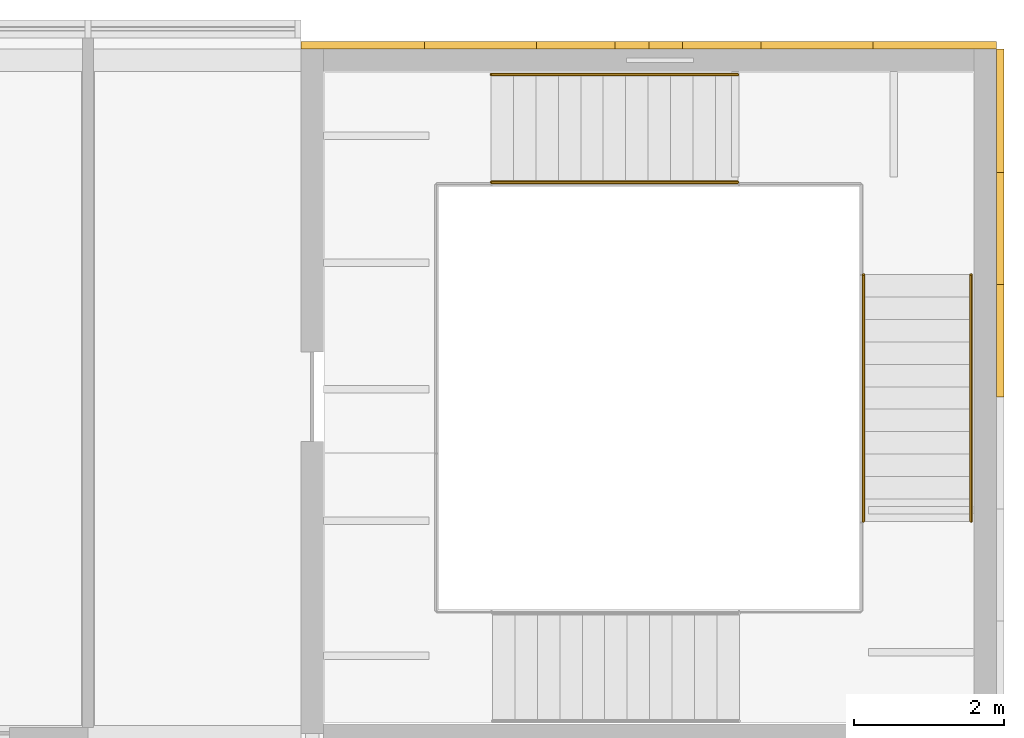
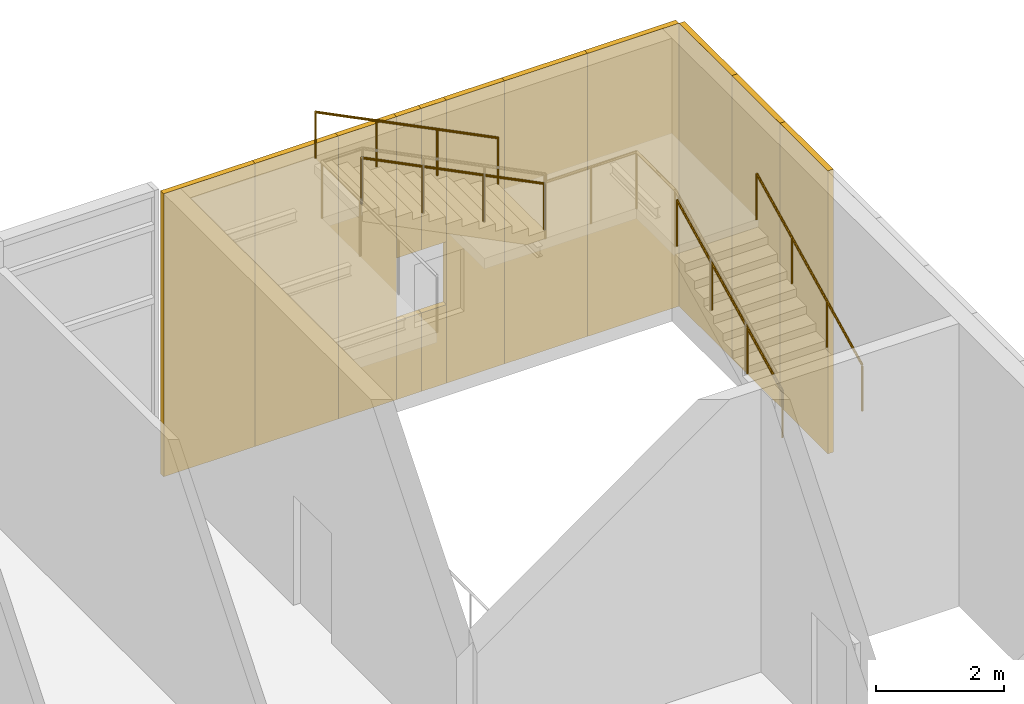
# One storey, part 56 of 56: 13 coverings, 4 railings.
"""IFC4 building model written with IfcOpenShell, lengths in metres."""

from ifc_helpers import new_model, si_unit, direction, frame, origin, origin_2d, place, context, subcontext, project, spatial, rectangle, circle, extrude, material, layer, layer_set, type_object, element, save


model = new_model("IFC4")

# Units and contexts
model_context = context("Model", 3, precision=1e-05, world=origin(), true_north=direction((0.0, 1.0)))
body_context = subcontext(model_context, "Body", "Model", "MODEL_VIEW")
ifc_project = project(units=[si_unit("LENGTHUNIT", "METRE"), si_unit("AREAUNIT", "SQUARE_METRE"), si_unit("VOLUMEUNIT", "CUBIC_METRE"), si_unit("PLANEANGLEUNIT", "RADIAN"), si_unit("MASSUNIT", "GRAM", prefix="KILO")], contexts=[model_context])

# Site, building, storey
site_placement = place(None, origin())
site = spatial("IfcSite", under=ifc_project, at=site_placement, CompositionType="ELEMENT")
building_placement = place(site_placement, origin())
building = spatial("IfcBuilding", under=site, at=building_placement, Name="Azimuth Sports and Learning Centre", CompositionType="ELEMENT")
storey_placement = place(building_placement, frame((0.0, 0.0, 5.39990234375)))
storey = spatial("IfcBuildingStorey", under=building, at=storey_placement, Name="L01", CompositionType="ELEMENT", Elevation=5.39990234375)

# Coverings
ifc_material_1 = material(Name="Cladding panel")
ifc_layer = layer(ifc_material_1, 0.10009765625)
ifc_layer_set = layer_set([ifc_layer], Name="Cladding panel")
covering_type = type_object("IfcCoveringType", Name="Cladding panel 100", PredefinedType="CLADDING", material=ifc_layer_set)
for number, where, z_axis, x_axis, name in (
    (1, (171.199951171875, 113.25, 0.000244140625), (0.0, 0.0, 1.0), (0.0, 1.0, 0.0), "Cladding panel E-END E L01 16"),
    (2, (171.199951171875, 114.75, 0.000244140625), (0.0, 0.0, 1.0), (0.0, 1.0, 0.0), "Cladding panel E-END E L01 17"),
):
    element("IfcCovering", number, at=place(storey_placement, frame(where, z_axis=z_axis, x_axis=x_axis)), inside=storey, type_object=covering_type, Name=name, PredefinedType="CLADDING", context=body_context, shape_type="SweptSolid", body=[
        extrude(rectangle(XDim=1.5, YDim=0.10009765625, at=origin_2d()), origin(), (0.0, 0.0, 1.0), 5.39990234375),
    ])
for number, where, z_axis, x_axis, name in (
    (3, (171.199951171875, 116.324951171875, 0.000244140625), (0.0, 0.0, 1.0), (0.0, 1.0, 0.0), "Cladding panel E-END E L01 18"),
    (4, (170.324951171875, 117.199951171875, 0.000244140625), (0.0, 0.0, 1.0), (-1.0, 0.0, 0.0), "Cladding panel N-END E L01 1"),
):
    element("IfcCovering", number, at=place(storey_placement, frame(where, z_axis=z_axis, x_axis=x_axis)), inside=storey, type_object=covering_type, Name=name, PredefinedType="CLADDING", context=body_context, shape_type="SweptSolid", body=[
        extrude(rectangle(XDim=1.64990234375, YDim=0.10009765625, at=origin_2d()), origin(), (0.0, 0.0, 1.0), 5.39990234375),
    ])
covering_1_placement = place(storey_placement, frame((168.75, 117.199951171875, 0.000244140625), z_axis=(0.0, 0.0, 1.0), x_axis=(-1.0, 0.0, 0.0)))
element("IfcCovering", 5, at=covering_1_placement, inside=storey, type_object=covering_type, Name="Cladding panel N-END E L01 2", PredefinedType="CLADDING", context=body_context, shape_type="SweptSolid", body=[
    extrude(rectangle(XDim=1.5, YDim=0.10009765625, at=origin_2d()), origin(), (0.0, 0.0, 1.0), 5.39990234375),
])
covering_2_placement = place(storey_placement, frame((167.47509765625, 117.199951171875, 0.000244140625), z_axis=(0.0, 0.0, 1.0), x_axis=(-1.0, 0.0, 0.0)))
element("IfcCovering", 6, at=covering_2_placement, inside=storey, type_object=covering_type, Name="Cladding panel N-END E L01 3", PredefinedType="CLADDING", context=body_context, shape_type="SweptSolid", body=[
    extrude(rectangle(XDim=1.050048828125, YDim=0.10009765625, at=origin_2d()), origin(), (0.0, 0.0, 1.0), 5.39990234375),
])
covering_3_placement = place(storey_placement, frame((166.72509765625, 117.199951171875, 0.0), z_axis=(0.0, 0.0, 1.0), x_axis=(-1.0, 0.0, 0.0)))
element("IfcCovering", 7, at=covering_3_placement, inside=storey, type_object=covering_type, Name="Cladding panel N-END E L01 4", PredefinedType="CLADDING", context=body_context, shape_type="SweptSolid", body=[
    extrude(rectangle(XDim=0.449951171875, YDim=0.10009765625, at=origin_2d()), origin(), (0.0, 0.0, 1.0), 1.5),
])
covering_4_placement = place(storey_placement, frame((166.72509765625, 117.199951171875, 2.7001953125), z_axis=(0.0, 0.0, 1.0), x_axis=(-1.0, 0.0, 0.0)))
element("IfcCovering", 8, at=covering_4_placement, inside=storey, type_object=covering_type, Name="Cladding panel N-END E L01 5", PredefinedType="CLADDING", context=body_context, shape_type="SweptSolid", body=[
    extrude(rectangle(XDim=0.449951171875, YDim=0.10009765625, at=origin_2d()), origin(), (0.0, 0.0, 1.0), 2.699951171875),
])
covering_5_placement = place(storey_placement, frame((165.52490234375, 117.199951171875, 0.000244140625), z_axis=(0.0, 0.0, 1.0), x_axis=(-1.0, 0.0, 0.0)))
element("IfcCovering", 9, at=covering_5_placement, inside=storey, type_object=covering_type, Name="Cladding panel N-END E L01 6", PredefinedType="CLADDING", context=body_context, shape_type="SweptSolid", body=[
    extrude(rectangle(XDim=1.050048828125, YDim=0.10009765625, at=origin_2d()), origin(), (0.0, 0.0, 1.0), 5.39990234375),
])
covering_6_placement = place(storey_placement, frame((166.27490234375, 117.199951171875, 0.0), z_axis=(0.0, 0.0, 1.0), x_axis=(-1.0, 0.0, 0.0)))
element("IfcCovering", 10, at=covering_6_placement, inside=storey, type_object=covering_type, Name="Cladding panel N-END E L01 7", PredefinedType="CLADDING", context=body_context, shape_type="SweptSolid", body=[
    extrude(rectangle(XDim=0.449951171875, YDim=0.10009765625, at=origin_2d()), origin(), (0.0, 0.0, 1.0), 1.5),
])
covering_7_placement = place(storey_placement, frame((166.27490234375, 117.199951171875, 2.7001953125), z_axis=(0.0, 0.0, 1.0), x_axis=(-1.0, 0.0, 0.0)))
element("IfcCovering", 11, at=covering_7_placement, inside=storey, type_object=covering_type, Name="Cladding panel N-END E L01 8", PredefinedType="CLADDING", context=body_context, shape_type="SweptSolid", body=[
    extrude(rectangle(XDim=0.449951171875, YDim=0.10009765625, at=origin_2d()), origin(), (0.0, 0.0, 1.0), 2.699951171875),
])
covering_8_placement = place(storey_placement, frame((164.25, 117.199951171875, 0.000244140625), z_axis=(0.0, 0.0, 1.0), x_axis=(-1.0, 0.0, 0.0)))
element("IfcCovering", 12, at=covering_8_placement, inside=storey, type_object=covering_type, Name="Cladding panel N-END E L01 9", PredefinedType="CLADDING", context=body_context, shape_type="SweptSolid", body=[
    extrude(rectangle(XDim=1.5, YDim=0.10009765625, at=origin_2d()), origin(), (0.0, 0.0, 1.0), 5.39990234375),
])
covering_9_placement = place(storey_placement, frame((162.675048828125, 117.199951171875, 0.000244140625), z_axis=(0.0, 0.0, 1.0), x_axis=(-1.0, 0.0, 0.0)))
element("IfcCovering", 13, at=covering_9_placement, inside=storey, type_object=covering_type, Name="Cladding panel N-END E L01 10", PredefinedType="CLADDING", context=body_context, shape_type="SweptSolid", body=[
    extrude(rectangle(XDim=1.64990234375, YDim=0.10009765625, at=origin_2d()), origin(), (0.0, 0.0, 1.0), 5.39990234375),
])

# Railings
ifc_material_2 = material(Name="Stainless steel", Category="steel")
railing_type = type_object("IfcRailingType", Name="Stair handrail 42", PredefinedType="HANDRAIL", material=ifc_material_2)
for number, where, name in (
    (14, (169.3701171875, 110.8349609375, 1.9501953125), "Handrail EW2 L01 flight 2 inner"),
    (15, (170.81005859375, 110.8349609375, 1.9501953125), "Handrail EW2 L01 flight 2 outer"),
):
    element("IfcRailing", number, at=place(storey_placement, frame(where)), inside=storey, type_object=railing_type, Name=name, PredefinedType="HANDRAIL", context=body_context, shape_type="SweptSolid", body=[
        extrude(circle(Radius=0.02099609375, at=origin_2d()), frame((0.0, 0.0, 0.87890625), z_axis=(0.0, 0.894440424912, 0.447187126696), x_axis=(-1.0, 0.0, 0.0)), (0.0, 0.0, 1.0), 3.689453125),
        extrude(circle(Radius=0.01611328125, at=origin_2d()), origin(), (0.0, 0.0, 1.0), 0.85791015625),
        extrude(circle(Radius=0.01611328125, at=origin_2d()), frame((0.0, 1.10009765625, 0.550048828125)), (0.0, 0.0, 1.0), 0.85791015625),
        extrude(circle(Radius=0.01611328125, at=origin_2d()), frame((0.0, 2.199951171875, 1.099853515625)), (0.0, 0.0, 1.0), 0.85791015625),
        extrude(circle(Radius=0.01611328125, at=origin_2d()), frame((0.0, 3.300048828125, 1.64990234375)), (0.0, 0.0, 1.0), 0.85791015625),
    ])
for number, where, name in (
    (16, (167.68994140625, 115.3701171875, 3.75), "Handrail EW2 L01 flight 3 inner"),
    (17, (167.68994140625, 116.81005859375, 3.75), "Handrail EW2 L01 flight 3 outer"),
):
    element("IfcRailing", number, at=place(storey_placement, frame(where)), inside=storey, type_object=railing_type, Name=name, PredefinedType="HANDRAIL", context=body_context, shape_type="SweptSolid", body=[
        extrude(circle(Radius=0.02099609375, at=origin_2d()), frame((0.0, 0.0, 0.87890625), z_axis=(-0.894413956696, 0.0, 0.447240063129), x_axis=(0.0, -1.0, 0.0)), (0.0, 0.0, 1.0), 3.689697265625),
        extrude(circle(Radius=0.01611328125, at=origin_2d()), origin(), (0.0, 0.0, 1.0), 0.85791015625),
        extrude(circle(Radius=0.01611328125, at=origin_2d()), frame((-1.10009765625, 0.0, 0.550048828125)), (0.0, 0.0, 1.0), 0.85791015625),
        extrude(circle(Radius=0.01611328125, at=origin_2d()), frame((-2.199951171875, 0.0, 1.10009765625)), (0.0, 0.0, 1.0), 0.85791015625),
        extrude(circle(Radius=0.01611328125, at=origin_2d()), frame((-3.300048828125, 0.0, 1.650146484375)), (0.0, 0.0, 1.0), 0.85791015625),
    ])

save(model, "model.ifc")
